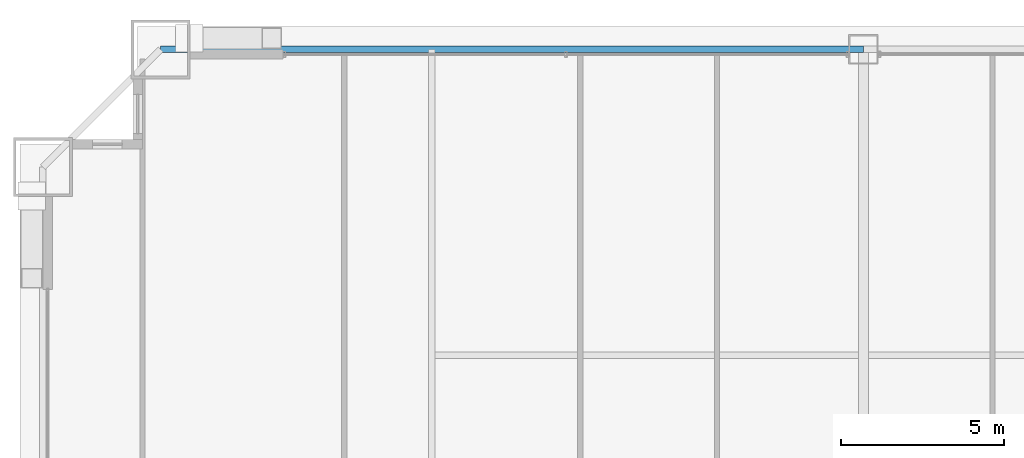
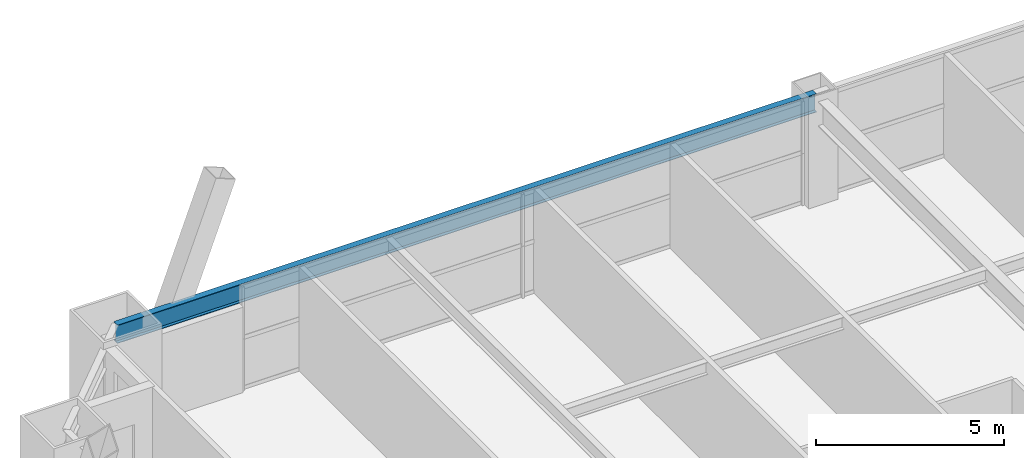
# One storey, part 27 of 43: 1 beam.
"""IFC4 building model written with IfcOpenShell, lengths in metres."""

from ifc_helpers import new_model, si_unit, direction, frame, origin, origin_2d, place, context, subcontext, project, spatial, i_section, extrude, source, transform, mapped, material, material_profile, profile_set, type_object, element, save


model = new_model("IFC4")

# Units and contexts
model_context = context("Model", 3, precision=1e-05, world=origin(), true_north=direction((0.0, 1.0)))
body_context = subcontext(model_context, "Body", "Model", "MODEL_VIEW")
ifc_project = project(units=[si_unit("LENGTHUNIT", "METRE"), si_unit("AREAUNIT", "SQUARE_METRE"), si_unit("VOLUMEUNIT", "CUBIC_METRE"), si_unit("PLANEANGLEUNIT", "RADIAN"), si_unit("MASSUNIT", "GRAM", prefix="KILO"), si_unit("THERMODYNAMICTEMPERATUREUNIT", "KELVIN"), si_unit("POWERUNIT", "WATT")], contexts=[model_context])

# Site, building, storey
site_placement = place(None, origin())
site = spatial("IfcSite", under=ifc_project, at=site_placement, CompositionType="ELEMENT")
building_placement = place(site_placement, origin())
building = spatial("IfcBuilding", under=site, at=building_placement, Name="Yuzanri Waterfront Tower", CompositionType="ELEMENT")
storey_placement = place(building_placement, frame((0.0, 0.0, 53.199951171875)))
storey = spatial("IfcBuildingStorey", under=building, at=storey_placement, Name="L13", CompositionType="ELEMENT", Elevation=53.199951171875)

# Beam
ifc_material = material(Name="Steel Q355B", Category="steel")
ifc_material_profile = material_profile(ifc_material, i_section(OverallWidth=0.199951171875, OverallDepth=0.60009765625, WebThickness=0.010986328125, FlangeThickness=0.01708984375, at=origin_2d()), Name="HN 600x200x11x17")
ifc_profile_set = profile_set([ifc_material_profile], Name="Steel Q355B")
beam_type = type_object("IfcBeamType", Name="Perimeter Spandrel Q355B HN 600x200", PredefinedType="SPANDREL", material=ifc_profile_set)
shared_shape = source(origin(), body_context, "Body", "SweptSolid", [
    extrude(i_section(OverallWidth=0.199951171875, OverallDepth=0.60009765625, WebThickness=0.010986328125, FlangeThickness=0.01708984375, at=origin_2d()), origin(), (0.0, 0.0, 1.0), 21.5),
])
beam_placement = place(storey_placement, frame((37.0, 50.89990234375, 3.080078125), z_axis=(-1.0, 0.0, 0.0), x_axis=(0.0, -1.0, 0.0)))
element("IfcBeam", 1, at=beam_placement, inside=storey, type_object=beam_type, Name="L13 Perimeter Spandrel N2-N1", PredefinedType="SPANDREL", context=body_context, shape_type="MappedRepresentation", body=[
    mapped(shared_shape, transform((0.0, 0.0, 0.0), scale=1.0)),
])

save(model, "model.ifc")
